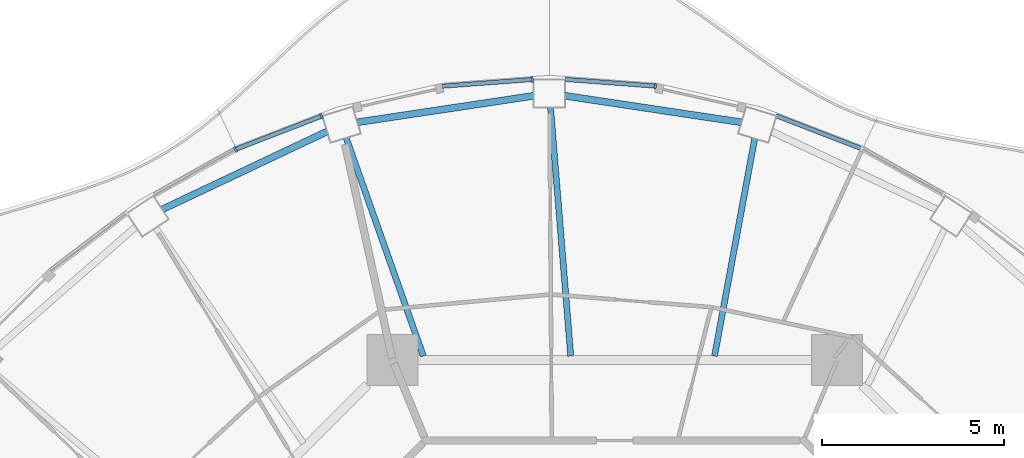
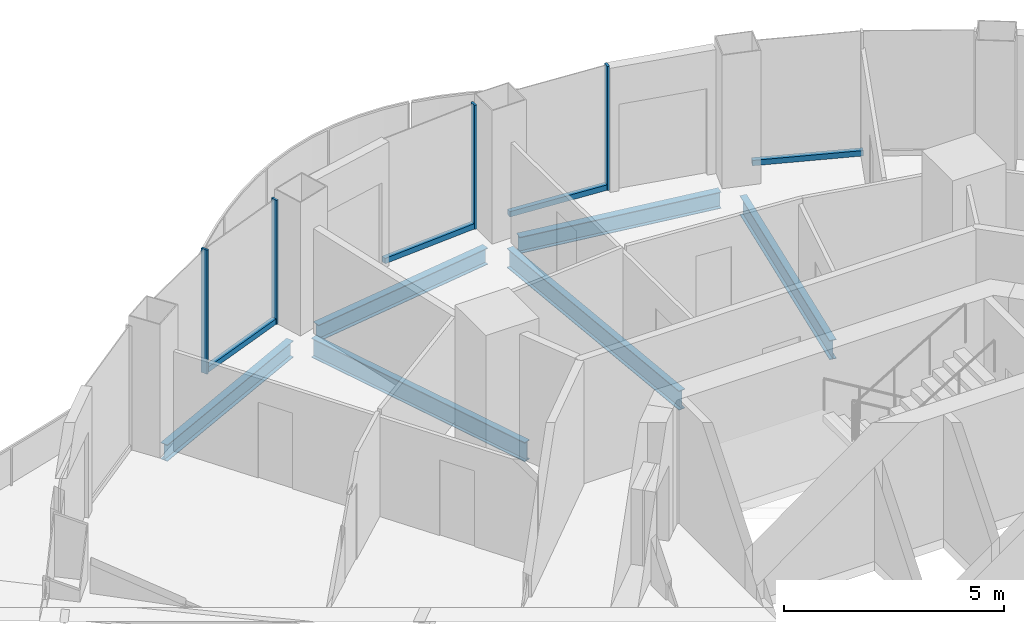
# One storey, part 6 of 17: 8 members, 6 beams, 5 elements without a shape of their own.
"""IFC4 building model written with IfcOpenShell, lengths in metres."""

from ifc_helpers import new_model, si_unit, direction, frame, origin, origin_2d, place, context, subcontext, project, spatial, rectangle, i_section, extrude, material, layer, layer_set, material_profile, profile_set, type_object, element, aggregate, save


model = new_model("IFC4")

# Units and contexts
model_context = context("Model", 3, precision=1e-05, world=origin(), true_north=direction((0.0, 1.0)))
body_context = subcontext(model_context, "Body", "Model", "MODEL_VIEW")
ifc_project = project(units=[si_unit("LENGTHUNIT", "METRE"), si_unit("AREAUNIT", "SQUARE_METRE"), si_unit("VOLUMEUNIT", "CUBIC_METRE"), si_unit("PLANEANGLEUNIT", "RADIAN"), si_unit("MASSUNIT", "GRAM", prefix="KILO")], contexts=[model_context])

# Site, building, storey
site_placement = place(None, origin())
site = spatial("IfcSite", under=ifc_project, at=site_placement, CompositionType="ELEMENT")
building_placement = place(site_placement, origin())
building = spatial("IfcBuilding", under=site, at=building_placement, Name="Nagisa Residences", CompositionType="ELEMENT")
storey_placement = place(building_placement, frame((0.0, 0.0, 277.0)))
storey = spatial("IfcBuildingStorey", under=building, at=storey_placement, Name="L70", CompositionType="ELEMENT", Elevation=277.0)

# Curtain wall, member
ifc_material_1 = material(Name="Concrete-coloured aluminium curtain wall system", Category="concrete")
ifc_layer = layer(ifc_material_1, 0.159912109375)
ifc_layer_set = layer_set([ifc_layer], Name="CW1 CURTAIN WALL")
curtain_wall_type = type_object("IfcCurtainWallType", Name="CW1 CURTAIN WALL", PredefinedType="NOTDEFINED", material=ifc_layer_set)
curtain_wall_1_placement = place(storey_placement, origin())
curtain_wall_1 = element("IfcCurtainWall", 1, at=curtain_wall_1_placement, inside=storey, type_object=curtain_wall_type, Name="cw:CW1:L70:11", PredefinedType="NOTDEFINED")
ifc_material_2 = material(Name="Concrete-coloured aluminium", Category="concrete")
ifc_material_profile_1 = material_profile(ifc_material_2, rectangle(XDim=0.159912109375, YDim=0.06005859375, at=origin_2d()), Name="CW1 MULLION 160x60")
ifc_profile_set_1 = profile_set([ifc_material_profile_1], Name="Concrete-coloured aluminium")
member_type_1 = type_object("IfcMemberType", Name="CW1 MULLION 160x60", PredefinedType="MULLION", material=ifc_profile_set_1)
member_1_placement = place(storey_placement, frame((1.11669921875, 22.324462890625, 0.0), z_axis=(0.0, 0.0, 1.0), x_axis=(-0.074377355493, -0.997230168512, 0.0)))
member_1 = element("IfcMember", 2, at=member_1_placement, type_object=member_type_1, Name="CW1 mullion", PredefinedType="MULLION", context=body_context, shape_type="SweptSolid", body=[
    extrude(rectangle(XDim=0.159912109375, YDim=0.06005859375, at=origin_2d()), origin(), (0.0, 0.0, 1.0), 3.43994140625),
])

curtain_wall_2_placement = place(storey_placement, origin())
curtain_wall_2 = element("IfcCurtainWall", 3, at=curtain_wall_2_placement, inside=storey, type_object=curtain_wall_type, Name="cw:CW1:L70:12", PredefinedType="NOTDEFINED")
member_2_placement = place(storey_placement, frame((-2.272705078125, 22.5068359375, 0.0), z_axis=(0.0, 0.0, 1.0), x_axis=(0.074377355493, -0.997230168512, 0.0)))
member_2 = element("IfcMember", 4, at=member_2_placement, type_object=member_type_1, Name="CW1 mullion", PredefinedType="MULLION", context=body_context, shape_type="SweptSolid", body=[
    extrude(rectangle(XDim=0.159912109375, YDim=0.06005859375, at=origin_2d()), origin(), (0.0, 0.0, 1.0), 3.43994140625),
])

curtain_wall_3_placement = place(storey_placement, origin())
curtain_wall_3 = element("IfcCurtainWall", 5, at=curtain_wall_3_placement, inside=storey, type_object=curtain_wall_type, Name="cw:CW1:L70:14", PredefinedType="NOTDEFINED")
member_3_placement = place(storey_placement, frame((-8.073486328125, 21.49755859375, 0.0), z_axis=(0.0, 0.0, 1.0), x_axis=(0.360327770268, -0.932825759707, 0.0)))
member_3 = element("IfcMember", 6, at=member_3_placement, type_object=member_type_1, Name="CW1 mullion", PredefinedType="MULLION", context=body_context, shape_type="SweptSolid", body=[
    extrude(rectangle(XDim=0.159912109375, YDim=0.06005859375, at=origin_2d()), origin(), (0.0, 0.0, 1.0), 3.43994140625),
])

curtain_wall_4_placement = place(storey_placement, origin())
curtain_wall_4 = element("IfcCurtainWall", 7, at=curtain_wall_4_placement, inside=storey, type_object=curtain_wall_type, Name="cw:CW1:L70:15", PredefinedType="NOTDEFINED")
member_4_placement = place(storey_placement, frame((-10.443359375, 20.57861328125, 0.0), z_axis=(0.0, 0.0, 1.0), x_axis=(0.489376918501, -0.872072377523, 0.0)))
member_4 = element("IfcMember", 8, at=member_4_placement, type_object=member_type_1, Name="CW1 mullion", PredefinedType="MULLION", context=body_context, shape_type="SweptSolid", body=[
    extrude(rectangle(XDim=0.159912109375, YDim=0.06005859375, at=origin_2d()), origin(), (0.0, 0.0, 1.0), 3.43994140625),
])
aggregate(curtain_wall_4, [member_4])

curtain_wall_5_placement = place(storey_placement, origin())
curtain_wall_5 = element("IfcCurtainWall", 9, at=curtain_wall_5_placement, inside=storey, type_object=curtain_wall_type, Name="cw:CW1:L70:09", PredefinedType="NOTDEFINED")
ifc_material_3 = material(Name="Concrete-coloured aluminium", Category="concrete")
ifc_material_profile_2 = material_profile(ifc_material_3, rectangle(XDim=0.1201171875, YDim=0.14990234375, at=origin_2d()), Name="CW1 TRANSOM 120x150")
ifc_profile_set_2 = profile_set([ifc_material_profile_2], Name="Concrete-coloured aluminium")
member_type_2 = type_object("IfcMemberType", Name="CW1 TRANSOM 120x150", PredefinedType="USERDEFINED", material=ifc_profile_set_2)
member_5_placement = place(storey_placement, frame((6.827392578125, 20.58837890625, 0.074951171875), z_axis=(-0.93282223778, 0.360336887792, 0.0), x_axis=(-0.360336887792, -0.93282223778, 0.0)))
member_5 = element("IfcMember", 10, at=member_5_placement, type_object=member_type_2, Name="CW1 transom", ObjectType="TRANSOM", PredefinedType="USERDEFINED", context=body_context, shape_type="SweptSolid", body=[
    extrude(rectangle(XDim=0.1201171875, YDim=0.14990234375, at=origin_2d()), origin(), (0.0, 0.0, 1.0), 2.5537109375),
])
aggregate(curtain_wall_5, [member_5])

# Member
member_6_placement = place(storey_placement, frame((1.146484375, 22.322265625, 0.074951171875), z_axis=(-0.99722914645, 0.074391057731, 0.0), x_axis=(-0.074391057731, -0.99722914645, 0.0)))
member_6 = element("IfcMember", 11, at=member_6_placement, type_object=member_type_2, Name="CW1 transom", ObjectType="TRANSOM", PredefinedType="USERDEFINED", context=body_context, shape_type="SweptSolid", body=[
    extrude(rectangle(XDim=0.1201171875, YDim=0.14990234375, at=origin_2d()), origin(), (0.0, 0.0, 1.0), 2.510498046875),
])

aggregate(curtain_wall_1, [member_1, member_6])

member_7_placement = place(storey_placement, frame((-2.242919921875, 22.509033203125, 0.074951171875), z_axis=(-0.99722914645, -0.074391057731, 0.0), x_axis=(0.074391057731, -0.99722914645, 0.0)))
member_7 = element("IfcMember", 12, at=member_7_placement, type_object=member_type_2, Name="CW1 transom", ObjectType="TRANSOM", PredefinedType="USERDEFINED", context=body_context, shape_type="SweptSolid", body=[
    extrude(rectangle(XDim=0.1201171875, YDim=0.14990234375, at=origin_2d()), origin(), (0.0, 0.0, 1.0), 2.510498046875),
])

aggregate(curtain_wall_2, [member_2, member_7])

member_8_placement = place(storey_placement, frame((-8.04541015625, 21.508544921875, 0.074951171875), z_axis=(-0.93282223778, -0.360336887792, 0.0), x_axis=(0.360336887792, -0.93282223778, 0.0)))
member_8 = element("IfcMember", 13, at=member_8_placement, type_object=member_type_2, Name="CW1 transom", ObjectType="TRANSOM", PredefinedType="USERDEFINED", context=body_context, shape_type="SweptSolid", body=[
    extrude(rectangle(XDim=0.1201171875, YDim=0.14990234375, at=origin_2d()), origin(), (0.0, 0.0, 1.0), 2.5537109375),
])

aggregate(curtain_wall_3, [member_3, member_8])

# Beams
ifc_material_4 = material(Name="Steel ASTM A572 Gr 50", Category="steel")
ifc_material_profile_3 = material_profile(ifc_material_4, i_section(OverallWidth=0.18994140625, OverallDepth=0.45703125, WebThickness=0.009033203125, FlangeThickness=0.014404296875, at=origin_2d()), Name="W460x74")
ifc_profile_set_3 = profile_set([ifc_material_profile_3], Name="Steel ASTM A572 Gr 50")
beam_type_1 = type_object("IfcBeamType", Name="Perimeter ring beam W460x74", PredefinedType="BEAM", material=ifc_profile_set_3)
beam_1_placement = place(storey_placement, frame((3.4951171875, 21.326904296875, -0.488525390625), z_axis=(-0.988907577601, 0.148532161377, 0.0), x_axis=(-0.148532161377, -0.988907577601, 0.0)))
element("IfcBeam", 14, at=beam_1_placement, inside=storey, type_object=beam_type_1, Name="beam:L70:pb06", PredefinedType="BEAM", context=body_context, shape_type="SweptSolid", body=[
    extrude(i_section(OverallWidth=0.18994140625, OverallDepth=0.45703125, WebThickness=0.009033203125, FlangeThickness=0.014404296875, at=origin_2d()), origin(), (0.0, 0.0, 1.0), 4.919677734375),
])
beam_2_placement = place(storey_placement, frame((-2.230224609375, 22.0576171875, -0.488525390625), z_axis=(-0.98890648267, -0.148539451101, 0.0), x_axis=(0.148539451101, -0.98890648267, 0.0)))
element("IfcBeam", 15, at=beam_2_placement, inside=storey, type_object=beam_type_1, Name="beam:L70:pb07", PredefinedType="BEAM", context=body_context, shape_type="SweptSolid", body=[
    extrude(i_section(OverallWidth=0.18994140625, OverallDepth=0.45703125, WebThickness=0.009033203125, FlangeThickness=0.014404296875, at=origin_2d()), origin(), (0.0, 0.0, 1.0), 4.91943359375),
])
beam_3_placement = place(storey_placement, frame((-7.918212890625, 21.076416015625, -0.488525390625), z_axis=(-0.904115893837, -0.427287316113, 0.0), x_axis=(0.427287316113, -0.904115893837, 0.0)))
element("IfcBeam", 16, at=beam_3_placement, inside=storey, type_object=beam_type_1, Name="beam:L70:pb08", PredefinedType="BEAM", context=body_context, shape_type="SweptSolid", body=[
    extrude(i_section(OverallWidth=0.18994140625, OverallDepth=0.45703125, WebThickness=0.009033203125, FlangeThickness=0.014404296875, at=origin_2d()), origin(), (0.0, 0.0, 1.0), 5.031494140625),
])
ifc_material_5 = material(Name="Steel ASTM A572 Gr 50", Category="steel")
ifc_material_profile_4 = material_profile(ifc_material_5, i_section(OverallWidth=0.166015625, OverallDepth=0.534912109375, WebThickness=0.01025390625, FlangeThickness=0.0166015625, at=origin_2d()), Name="W530x85")
ifc_profile_set_4 = profile_set([ifc_material_profile_4], Name="Steel ASTM A572 Gr 50")
beam_type_2 = type_object("IfcBeamType", Name="Radial beam W530x85", PredefinedType="BEAM", material=ifc_profile_set_4)
beam_4_placement = place(storey_placement, frame((3.855712890625, 20.885986328125, -0.527587890625), z_axis=(-0.18155164865, -0.983381410681, 0.0), x_axis=(0.983381410681, -0.18155164865, 0.0)))
element("IfcBeam", 17, at=beam_4_placement, inside=storey, type_object=beam_type_2, Name="beam:L70:rb06", PredefinedType="BEAM", context=body_context, shape_type="SweptSolid", body=[
    extrude(i_section(OverallWidth=0.166015625, OverallDepth=0.534912109375, WebThickness=0.01025390625, FlangeThickness=0.0166015625, at=origin_2d()), origin(), (0.0, 0.0, 1.0), 6.098388671875),
])
beam_5_placement = place(storey_placement, frame((-1.76904296875, 21.7421875, -0.527587890625), z_axis=(0.081094239996, -0.996706438346, 0.0), x_axis=(0.996706438346, 0.081094239996, 0.0)))
element("IfcBeam", 18, at=beam_5_placement, inside=storey, type_object=beam_type_2, Name="beam:L70:rb07", PredefinedType="BEAM", context=body_context, shape_type="SweptSolid", body=[
    extrude(i_section(OverallWidth=0.166015625, OverallDepth=0.534912109375, WebThickness=0.01025390625, FlangeThickness=0.0166015625, at=origin_2d()), origin(), (0.0, 0.0, 1.0), 6.876220703125),
])
beam_6_placement = place(storey_placement, frame((-7.398193359375, 20.903564453125, -0.527587890625), z_axis=(0.333636730814, -0.942701719449, 0.0), x_axis=(0.942701719449, 0.333636730814, 0.0)))
element("IfcBeam", 19, at=beam_6_placement, inside=storey, type_object=beam_type_2, Name="beam:L70:rb08", PredefinedType="BEAM", context=body_context, shape_type="SweptSolid", body=[
    extrude(i_section(OverallWidth=0.166015625, OverallDepth=0.534912109375, WebThickness=0.01025390625, FlangeThickness=0.0166015625, at=origin_2d()), origin(), (0.0, 0.0, 1.0), 6.37939453125),
])

save(model, "model.ifc")
